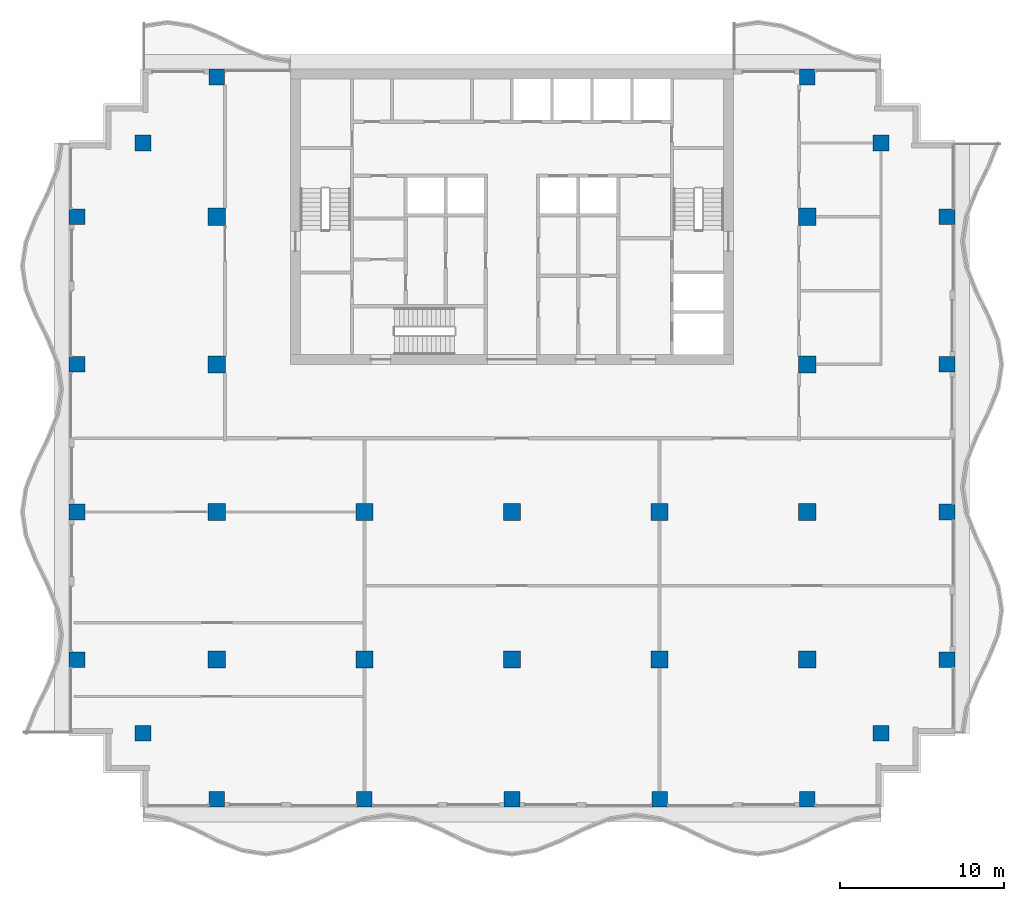
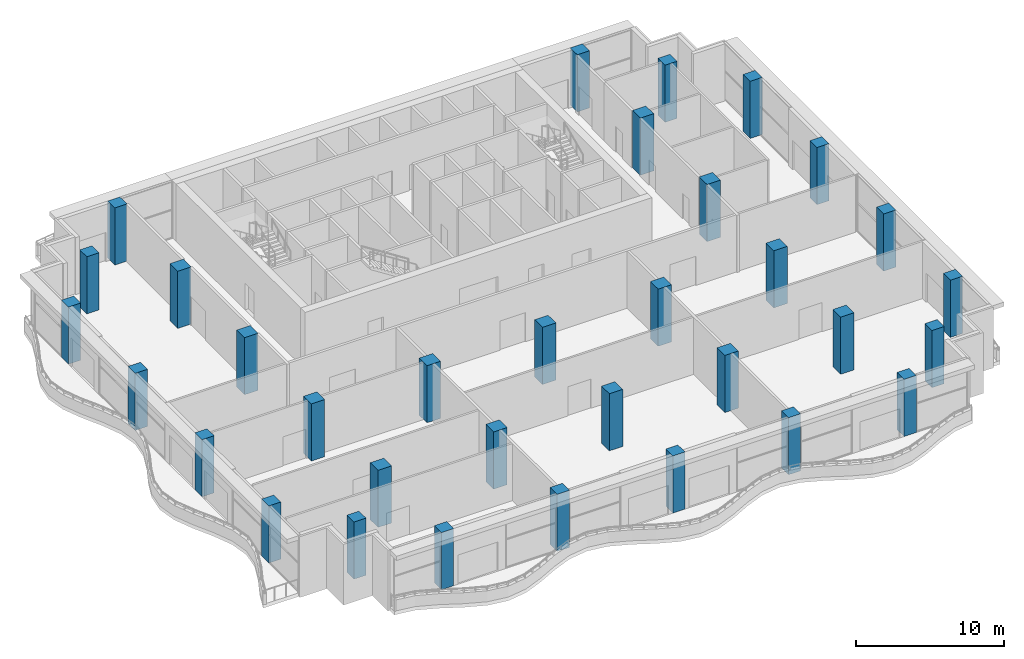
# One storey, part 1 of 15: 33 columns.
"""IFC4 building model written with IfcOpenShell, lengths in metres."""

import ifcopenshell
import ifcopenshell.guid

model = None  # the IFC model being written
_history = None  # IfcOwnerHistory: only IFC2X3 demands one
_inside = {}  # id of a spatial element -> (the spatial element, [elements in it])
_under = {}  # id of a project, library or spatial element -> (it, [spatial elements below it])
_declared = {}  # id of a project -> (the project, [libraries it declares])
_typed = {}  # id of a type object -> (the type object, [elements of that type])
_made_of = {}  # id of a material, layer set ... -> (it, [elements and type objects made of it])


def new_model(schema):
    """Start an empty IFC model of exactly this schema.

    Asked for "IFC4X3", IfcOpenShell would pick the latest addendum, in which some entities
    have other attributes; the version numbers below select the first issue.
    IFC2X3 requires an IfcOwnerHistory on every rooted entity: one is made here for all.
    """
    global model, _history
    if schema == "IFC4X3":
        model = ifcopenshell.file(schema_version=(4, 3, 0, 0))
    else:
        model = ifcopenshell.file(schema=schema)
    _inside.clear()
    _under.clear()
    _declared.clear()
    _typed.clear()
    _made_of.clear()
    _history = None
    if model.schema == "IFC2X3":
        org = make("IfcOrganization", Name="unknown")
        user = make(
            "IfcPersonAndOrganization",
            ThePerson=make("IfcPerson", FamilyName="unknown"),
            TheOrganization=org,
        )
        app = make(
            "IfcApplication",
            ApplicationDeveloper=org,
            Version="unknown",
            ApplicationFullName="unknown",
            ApplicationIdentifier="unknown",
        )
        _history = make(
            "IfcOwnerHistory",
            OwningUser=user,
            OwningApplication=app,
            ChangeAction="ADDED",
            CreationDate=0,
        )
    return model


def make(cls, **values):
    """One entity of the class cls with the attributes given. An attribute that is None is left unset."""
    return model.create_entity(
        cls, **{name: value for name, value in values.items() if value is not None}
    )


def rooted(cls, **values):
    """An entity with a GlobalId (a new one), such as an element, a storey or a relation."""
    return make(cls, GlobalId=ifcopenshell.guid.new(), OwnerHistory=_history, **values)


def si_unit(unit_type, name, prefix=None):
    """IfcSIUnit, for example si_unit("LENGTHUNIT", "METRE", prefix="MILLI")."""
    return make("IfcSIUnit", UnitType=unit_type, Prefix=prefix, Name=name)


def assignment(units):
    """IfcUnitAssignment: the units of a project."""
    return None if units is None else make("IfcUnitAssignment", Units=units)


def point(xyz):
    """IfcCartesianPoint."""
    return None if xyz is None else make("IfcCartesianPoint", Coordinates=xyz)


def direction(xyz):
    """IfcDirection."""
    return None if xyz is None else make("IfcDirection", DirectionRatios=xyz)


def frame(location, z_axis=None, x_axis=None):
    """IfcAxis2Placement3D, a coordinate frame: its origin and axes. An axis left out is left unset."""
    return make(
        "IfcAxis2Placement3D",
        Location=point(location),
        Axis=direction(z_axis),
        RefDirection=direction(x_axis),
    )


def frame_2d(location, x_axis=None):
    """IfcAxis2Placement2D, a coordinate frame in the plane: its origin and x axis."""
    return make(
        "IfcAxis2Placement2D", Location=point(location), RefDirection=direction(x_axis)
    )


def origin():
    """The frame at (0, 0, 0) with its axes left unset."""
    return frame((0.0, 0.0, 0.0))


def origin_2d():
    """The frame at (0, 0) in the plane with its x axis left unset."""
    return frame_2d((0.0, 0.0))


def place(relative_to, where):
    """IfcLocalPlacement: puts the frame where relative to a parent placement (None: the world)."""
    return make(
        "IfcLocalPlacement", PlacementRelTo=relative_to, RelativePlacement=where
    )


def context(
    kind, dimensions, precision=None, world=None, true_north=None, identifier=None
):
    """IfcGeometricRepresentationContext, for example the 3D "Model" context."""
    return make(
        "IfcGeometricRepresentationContext",
        ContextIdentifier=identifier,
        ContextType=kind,
        CoordinateSpaceDimension=dimensions,
        Precision=precision,
        WorldCoordinateSystem=world,
        TrueNorth=true_north,
    )


def subcontext(parent, identifier, kind, view, scale=None):
    """IfcGeometricRepresentationSubContext, for example "Body" below "Model"."""
    return make(
        "IfcGeometricRepresentationSubContext",
        ContextIdentifier=identifier,
        ContextType=kind,
        ParentContext=parent,
        TargetScale=scale,
        TargetView=view,
    )


def project(units=None, contexts=None):
    """IfcProject with its units and contexts."""
    return rooted(
        "IfcProject",
        Name="project",
        RepresentationContexts=contexts,
        UnitsInContext=assignment(units),
    )


def spatial(cls, under=None, at=None, **own):
    """A site, building, storey or space (cls), placed at a placement, below another one or the project."""
    s = rooted(cls, ObjectPlacement=at, **own)
    if under is not None:
        _under.setdefault(under.id(), (under, []))[1].append(s)
    return s


def profile(cls, at=None, kind="AREA", **sizes):
    """A parametric profile (cls). Its sizes go by their IFC names, for example OverallWidth=200.0."""
    return make(cls, ProfileType=kind, Position=at, **sizes)


def rectangle(**sizes):
    """IfcRectangleProfileDef."""
    return profile("IfcRectangleProfileDef", **sizes)


def extrude(swept, where, along, depth):
    """IfcExtrudedAreaSolid: the profile swept, set in the frame where, extruded along a direction by depth."""
    return make(
        "IfcExtrudedAreaSolid",
        SweptArea=swept,
        Position=where,
        ExtrudedDirection=direction(along),
        Depth=depth,
    )


def shape(context_of_items, identifier, shape_type, items):
    """IfcShapeRepresentation: the items that make up one representation, for example the "Body"."""
    return make(
        "IfcShapeRepresentation",
        ContextOfItems=context_of_items,
        RepresentationIdentifier=identifier,
        RepresentationType=shape_type,
        Items=items,
    )


def material(Name=None, Category=None):
    """IfcMaterial."""
    return make("IfcMaterial", Name=Name, Category=Category)


def material_profile(
    of_material, cross_section, Name=None, Category=None, Priority=None
):
    """IfcMaterialProfile: a cross section and its material."""
    return make(
        "IfcMaterialProfile",
        Name=Name,
        Material=of_material,
        Profile=cross_section,
        Priority=Priority,
        Category=Category,
    )


def profile_set(profiles, Name=None, composite=None):
    """IfcMaterialProfileSet."""
    return make(
        "IfcMaterialProfileSet",
        Name=Name,
        MaterialProfiles=profiles,
        CompositeProfile=composite,
    )


def made_of(thing, what):
    """Note that an element or type object is made of a material, layer set ...; save() writes the relation."""
    if what is not None:
        _made_of.setdefault(what.id(), (what, []))[1].append(thing)
    return thing


def type_object(cls, material=None, **own):
    """A type object (cls), such as IfcWallType, which elements share."""
    return made_of(rooted(cls, **own), material)


def element(
    cls,
    number,
    at=None,
    inside=None,
    cuts=None,
    type_object=None,
    material=None,
    context=None,
    identifier="Body",
    shape_type=None,
    held_by="IfcProductDefinitionShape",
    body=None,
    shapes=None,
    **own,
):
    """One element of the class cls, such as IfcWall. Its Tag is "e" and its number.

    at: its placement. inside: the storey or other place that contains it. cuts: it is an
    opening in that element (IfcRelVoidsElement). A single representation is given by context,
    identifier, shape_type and body (its items); several are given by shapes. held_by: the class
    of the entity that holds the representations. save() writes the other relations.
    """
    e = rooted(cls, Tag="e%d" % number, ObjectPlacement=at, **own)
    if body is not None:
        shapes = [shape(context, identifier, shape_type, body)]
    if shapes is not None:
        e.Representation = make(held_by, Representations=shapes)
    if inside is not None:
        _inside.setdefault(inside.id(), (inside, []))[1].append(e)
    if cuts is not None:
        rooted(
            "IfcRelVoidsElement", RelatingBuildingElement=cuts, RelatedOpeningElement=e
        )
    if type_object is not None:
        _typed.setdefault(type_object.id(), (type_object, []))[1].append(e)
    return made_of(e, material)


def aggregate(whole, parts):
    """IfcRelAggregates: a whole, such as a stair, and the parts it consists of."""
    return rooted("IfcRelAggregates", RelatingObject=whole, RelatedObjects=parts)


def save(model, path):
    """Write the relations noted so far, then the file.

    IfcRelAggregates (storeys below a building ...), IfcRelContainedInSpatialStructure (elements
    in a storey), IfcRelDefinesByType, IfcRelAssociatesMaterial and IfcRelDeclares: one each for
    every whole, place, type object, material and project.
    """
    for whole, parts in _under.values():
        aggregate(whole, parts)
    for where, things in _inside.values():
        rooted(
            "IfcRelContainedInSpatialStructure",
            RelatedElements=things,
            RelatingStructure=where,
        )
    for kind, things in _typed.values():
        rooted("IfcRelDefinesByType", RelatedObjects=things, RelatingType=kind)
    for what, things in _made_of.values():
        rooted("IfcRelAssociatesMaterial", RelatedObjects=things, RelatingMaterial=what)
    for by, libraries in _declared.values():
        rooted("IfcRelDeclares", RelatingContext=by, RelatedDefinitions=libraries)
    model.write(path)


model = new_model("IFC4")

# Units and contexts
model_context = context("Model", 3, precision=1e-05, world=origin(), true_north=direction((0.0, 1.0)))
body_context = subcontext(model_context, "Body", "Model", "MODEL_VIEW")
ifc_project = project(units=[si_unit("LENGTHUNIT", "METRE"), si_unit("AREAUNIT", "SQUARE_METRE"), si_unit("VOLUMEUNIT", "CUBIC_METRE"), si_unit("PLANEANGLEUNIT", "RADIAN"), si_unit("MASSUNIT", "GRAM", prefix="KILO")], contexts=[model_context])

# Site, building, storey
site_placement = place(None, origin())
site = spatial("IfcSite", under=ifc_project, at=site_placement, CompositionType="ELEMENT")
building_placement = place(site_placement, origin())
building = spatial("IfcBuilding", under=site, at=building_placement, Name="Orbiselva Terraces", CompositionType="ELEMENT")
storey_placement = place(building_placement, frame((0.0, 0.0, 233.8)))
storey = spatial("IfcBuildingStorey", under=building, at=storey_placement, Name="L59", CompositionType="ELEMENT", Elevation=233.8)

# Columns
ifc_material = material(Name="Concrete C50/60", Category="concrete")
ifc_material_profile_1 = material_profile(ifc_material, rectangle(XDim=1.05, YDim=1.05, at=origin_2d()), Name="RC 1050x1050")
ifc_profile_set_1 = profile_set([ifc_material_profile_1], Name="Concrete C50/60")
column_type_1 = type_object("IfcColumnType", Name="COLUMN RC 1050x1050", PredefinedType="COLUMN", material=ifc_profile_set_1)
for number, where, z_axis, x_axis, name in (
    (1, (-18.0, -13.5, 0.0), (0.0, 0.0, 1.0), (1.0, 0.0, 0.0), "Column L59-01"),
    (2, (-18.0, -4.5, 0.0), (0.0, 0.0, 1.0), (1.0, 0.0, 0.0), "Column L59-03"),
    (3, (-18.0, 13.5, 0.0), (0.0, 0.0, 1.0), (1.0, 0.0, 0.0), "Column L59-04"),
    (4, (-18.0, 4.5, 0.0), (0.0, 0.0, 1.0), (1.0, 0.0, 0.0), "Column L59-06"),
    (5, (-9.0, -13.5, 0.0), (0.0, 0.0, 1.0), (1.0, 0.0, 0.0), "Column L59-13"),
    (6, (-9.0, -4.5, 0.0), (0.0, 0.0, 1.0), (1.0, 0.0, 0.0), "Column L59-15"),
    (7, (0.0, -13.5, 0.0), (0.0, 0.0, 1.0), (1.0, 0.0, 0.0), "Column L59-16"),
    (8, (0.0, -4.5, 0.0), (0.0, 0.0, 1.0), (1.0, 0.0, 0.0), "Column L59-18"),
    (9, (18.0, -13.5, 0.0), (0.0, 0.0, 1.0), (1.0, 0.0, 0.0), "Column L59-19"),
    (10, (18.0, -4.5, 0.0), (0.0, 0.0, 1.0), (1.0, 0.0, 0.0), "Column L59-21"),
    (11, (18.0, 13.5, 0.0), (0.0, 0.0, 1.0), (1.0, 0.0, 0.0), "Column L59-22"),
    (12, (18.0, 4.5, 0.0), (0.0, 0.0, 1.0), (1.0, 0.0, 0.0), "Column L59-24"),
    (13, (9.0, -13.5, 0.0), (0.0, 0.0, 1.0), (1.0, 0.0, 0.0), "Column L59-31"),
    (14, (9.0, -4.5, 0.0), (0.0, 0.0, 1.0), (1.0, 0.0, 0.0), "Column L59-33"),
):
    element("IfcColumn", number, at=place(storey_placement, frame(where, z_axis=z_axis, x_axis=x_axis)), inside=storey, type_object=column_type_1, Name=name, PredefinedType="COLUMN", context=body_context, shape_type="SweptSolid", body=[
        extrude(rectangle(XDim=1.05, YDim=1.05, at=origin_2d()), origin(), (0.0, 0.0, 1.0), 4.7),
    ])
ifc_material_profile_2 = material_profile(ifc_material, rectangle(XDim=0.95, YDim=0.95, at=origin_2d()), Name="RC 950x950")
ifc_profile_set_2 = profile_set([ifc_material_profile_2], Name="Concrete C50/60")
column_type_2 = type_object("IfcColumnType", Name="PERIMETER COLUMN RC 950x950", PredefinedType="COLUMN", material=ifc_profile_set_2)
for number, where, z_axis, x_axis, name in (
    (15, (-18.0, -22.025, 0.0), (0.0, 0.0, 1.0), (1.0, 0.0, 0.0), "Column L59-02"),
    (16, (-18.0, 22.025, 0.0), (0.0, 0.0, 1.0), (1.0, 0.0, 0.0), "Column L59-05"),
    (17, (-26.525, -13.5, 0.0), (0.0, 0.0, 1.0), (1.0, 0.0, 0.0), "Column L59-07"),
    (18, (-22.5, -18.0, 0.0), (0.0, 0.0, 1.0), (1.0, 0.0, 0.0), "Column L59-08"),
    (19, (-26.525, -4.5, 0.0), (0.0, 0.0, 1.0), (1.0, 0.0, 0.0), "Column L59-09"),
    (20, (-26.525, 13.5, 0.0), (0.0, 0.0, 1.0), (1.0, 0.0, 0.0), "Column L59-10"),
    (21, (-22.5, 18.0, 0.0), (0.0, 0.0, 1.0), (1.0, 0.0, 0.0), "Column L59-11"),
    (22, (-26.525, 4.5, 0.0), (0.0, 0.0, 1.0), (1.0, 0.0, 0.0), "Column L59-12"),
    (23, (-9.0, -22.025, 0.0), (0.0, 0.0, 1.0), (1.0, 0.0, 0.0), "Column L59-14"),
    (24, (0.0, -22.025, 0.0), (0.0, 0.0, 1.0), (1.0, 0.0, 0.0), "Column L59-17"),
    (25, (18.0, -22.025, 0.0), (0.0, 0.0, 1.0), (1.0, 0.0, 0.0), "Column L59-20"),
    (26, (18.0, 22.025, 0.0), (0.0, 0.0, 1.0), (1.0, 0.0, 0.0), "Column L59-23"),
    (27, (26.525, -13.5, 0.0), (0.0, 0.0, 1.0), (1.0, 0.0, 0.0), "Column L59-25"),
    (28, (22.5, -18.0, 0.0), (0.0, 0.0, 1.0), (1.0, 0.0, 0.0), "Column L59-26"),
    (29, (26.525, -4.5, 0.0), (0.0, 0.0, 1.0), (1.0, 0.0, 0.0), "Column L59-27"),
    (30, (26.525, 13.5, 0.0), (0.0, 0.0, 1.0), (1.0, 0.0, 0.0), "Column L59-28"),
    (31, (22.5, 18.0, 0.0), (0.0, 0.0, 1.0), (1.0, 0.0, 0.0), "Column L59-29"),
    (32, (26.525, 4.5, 0.0), (0.0, 0.0, 1.0), (1.0, 0.0, 0.0), "Column L59-30"),
    (33, (9.0, -22.025, 0.0), (0.0, 0.0, 1.0), (1.0, 0.0, 0.0), "Column L59-32"),
):
    element("IfcColumn", number, at=place(storey_placement, frame(where, z_axis=z_axis, x_axis=x_axis)), inside=storey, type_object=column_type_2, Name=name, PredefinedType="COLUMN", context=body_context, shape_type="SweptSolid", body=[
        extrude(rectangle(XDim=0.95, YDim=0.95, at=origin_2d()), origin(), (0.0, 0.0, 1.0), 4.7),
    ])

save(model, "model.ifc")
